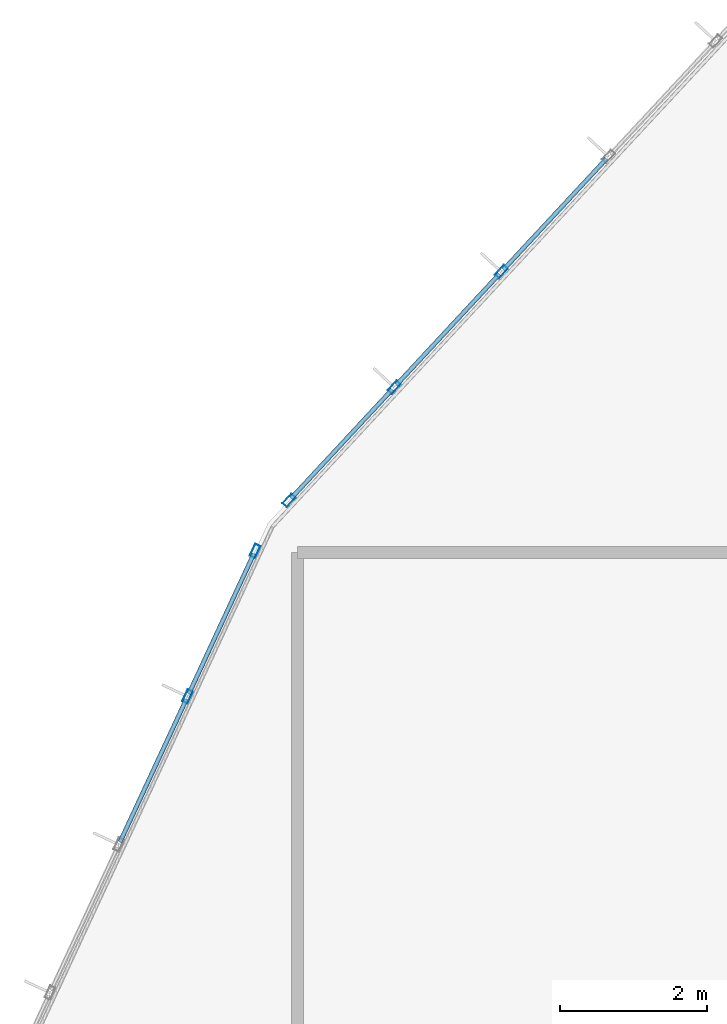
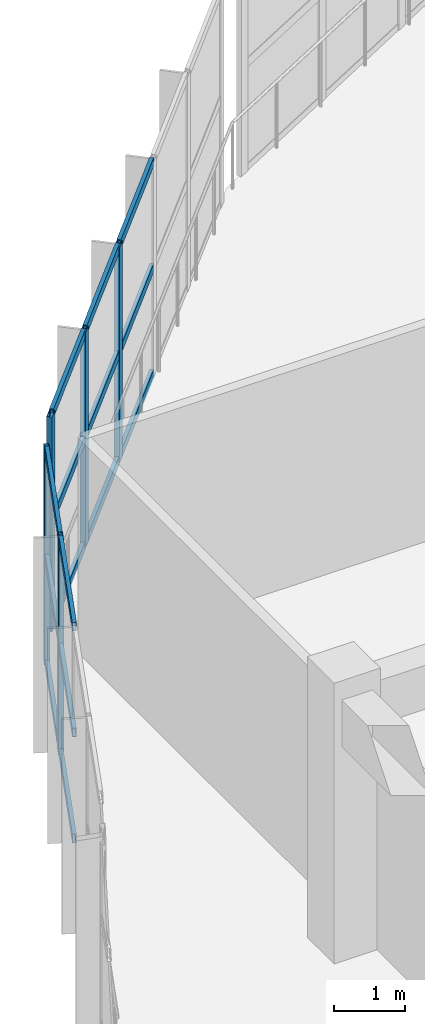
# One storey, part 56 of 175: 20 members, 2 elements without a shape of their own.
"""IFC4 building model written with IfcOpenShell, lengths in metres."""

import ifcopenshell
import ifcopenshell.guid

model = None  # the IFC model being written
_history = None  # IfcOwnerHistory: only IFC2X3 demands one
_inside = {}  # id of a spatial element -> (the spatial element, [elements in it])
_under = {}  # id of a project, library or spatial element -> (it, [spatial elements below it])
_declared = {}  # id of a project -> (the project, [libraries it declares])
_typed = {}  # id of a type object -> (the type object, [elements of that type])
_made_of = {}  # id of a material, layer set ... -> (it, [elements and type objects made of it])


def new_model(schema):
    """Start an empty IFC model of exactly this schema.

    Asked for "IFC4X3", IfcOpenShell would pick the latest addendum, in which some entities
    have other attributes; the version numbers below select the first issue.
    IFC2X3 requires an IfcOwnerHistory on every rooted entity: one is made here for all.
    """
    global model, _history
    if schema == "IFC4X3":
        model = ifcopenshell.file(schema_version=(4, 3, 0, 0))
    else:
        model = ifcopenshell.file(schema=schema)
    _inside.clear()
    _under.clear()
    _declared.clear()
    _typed.clear()
    _made_of.clear()
    _history = None
    if model.schema == "IFC2X3":
        org = make("IfcOrganization", Name="unknown")
        user = make(
            "IfcPersonAndOrganization",
            ThePerson=make("IfcPerson", FamilyName="unknown"),
            TheOrganization=org,
        )
        app = make(
            "IfcApplication",
            ApplicationDeveloper=org,
            Version="unknown",
            ApplicationFullName="unknown",
            ApplicationIdentifier="unknown",
        )
        _history = make(
            "IfcOwnerHistory",
            OwningUser=user,
            OwningApplication=app,
            ChangeAction="ADDED",
            CreationDate=0,
        )
    return model


def make(cls, **values):
    """One entity of the class cls with the attributes given. An attribute that is None is left unset."""
    return model.create_entity(
        cls, **{name: value for name, value in values.items() if value is not None}
    )


def rooted(cls, **values):
    """An entity with a GlobalId (a new one), such as an element, a storey or a relation."""
    return make(cls, GlobalId=ifcopenshell.guid.new(), OwnerHistory=_history, **values)


def si_unit(unit_type, name, prefix=None):
    """IfcSIUnit, for example si_unit("LENGTHUNIT", "METRE", prefix="MILLI")."""
    return make("IfcSIUnit", UnitType=unit_type, Prefix=prefix, Name=name)


def assignment(units):
    """IfcUnitAssignment: the units of a project."""
    return None if units is None else make("IfcUnitAssignment", Units=units)


def point(xyz):
    """IfcCartesianPoint."""
    return None if xyz is None else make("IfcCartesianPoint", Coordinates=xyz)


def direction(xyz):
    """IfcDirection."""
    return None if xyz is None else make("IfcDirection", DirectionRatios=xyz)


def frame(location, z_axis=None, x_axis=None):
    """IfcAxis2Placement3D, a coordinate frame: its origin and axes. An axis left out is left unset."""
    return make(
        "IfcAxis2Placement3D",
        Location=point(location),
        Axis=direction(z_axis),
        RefDirection=direction(x_axis),
    )


def frame_2d(location, x_axis=None):
    """IfcAxis2Placement2D, a coordinate frame in the plane: its origin and x axis."""
    return make(
        "IfcAxis2Placement2D", Location=point(location), RefDirection=direction(x_axis)
    )


def origin():
    """The frame at (0, 0, 0) with its axes left unset."""
    return frame((0.0, 0.0, 0.0))


def origin_2d():
    """The frame at (0, 0) in the plane with its x axis left unset."""
    return frame_2d((0.0, 0.0))


def place(relative_to, where):
    """IfcLocalPlacement: puts the frame where relative to a parent placement (None: the world)."""
    return make(
        "IfcLocalPlacement", PlacementRelTo=relative_to, RelativePlacement=where
    )


def context(
    kind, dimensions, precision=None, world=None, true_north=None, identifier=None
):
    """IfcGeometricRepresentationContext, for example the 3D "Model" context."""
    return make(
        "IfcGeometricRepresentationContext",
        ContextIdentifier=identifier,
        ContextType=kind,
        CoordinateSpaceDimension=dimensions,
        Precision=precision,
        WorldCoordinateSystem=world,
        TrueNorth=true_north,
    )


def subcontext(parent, identifier, kind, view, scale=None):
    """IfcGeometricRepresentationSubContext, for example "Body" below "Model"."""
    return make(
        "IfcGeometricRepresentationSubContext",
        ContextIdentifier=identifier,
        ContextType=kind,
        ParentContext=parent,
        TargetScale=scale,
        TargetView=view,
    )


def project(units=None, contexts=None):
    """IfcProject with its units and contexts."""
    return rooted(
        "IfcProject",
        Name="project",
        RepresentationContexts=contexts,
        UnitsInContext=assignment(units),
    )


def spatial(cls, under=None, at=None, **own):
    """A site, building, storey or space (cls), placed at a placement, below another one or the project."""
    s = rooted(cls, ObjectPlacement=at, **own)
    if under is not None:
        _under.setdefault(under.id(), (under, []))[1].append(s)
    return s


def profile(cls, at=None, kind="AREA", **sizes):
    """A parametric profile (cls). Its sizes go by their IFC names, for example OverallWidth=200.0."""
    return make(cls, ProfileType=kind, Position=at, **sizes)


def hollow_rectangle(**sizes):
    """IfcRectangleHollowProfileDef."""
    return profile("IfcRectangleHollowProfileDef", **sizes)


def extrude(swept, where, along, depth):
    """IfcExtrudedAreaSolid: the profile swept, set in the frame where, extruded along a direction by depth."""
    return make(
        "IfcExtrudedAreaSolid",
        SweptArea=swept,
        Position=where,
        ExtrudedDirection=direction(along),
        Depth=depth,
    )


def shape(context_of_items, identifier, shape_type, items):
    """IfcShapeRepresentation: the items that make up one representation, for example the "Body"."""
    return make(
        "IfcShapeRepresentation",
        ContextOfItems=context_of_items,
        RepresentationIdentifier=identifier,
        RepresentationType=shape_type,
        Items=items,
    )


def material(Name=None, Category=None):
    """IfcMaterial."""
    return make("IfcMaterial", Name=Name, Category=Category)


def layer(
    of_material, thickness, ventilated=None, Name=None, Category=None, Priority=None
):
    """IfcMaterialLayer: one layer of a wall or slab, of a material (None: an air gap)."""
    return make(
        "IfcMaterialLayer",
        Material=of_material,
        LayerThickness=thickness,
        IsVentilated=ventilated,
        Name=Name,
        Category=Category,
        Priority=Priority,
    )


def layer_set(layers, Name=None):
    """IfcMaterialLayerSet."""
    return make("IfcMaterialLayerSet", MaterialLayers=layers, LayerSetName=Name)


def material_profile(
    of_material, cross_section, Name=None, Category=None, Priority=None
):
    """IfcMaterialProfile: a cross section and its material."""
    return make(
        "IfcMaterialProfile",
        Name=Name,
        Material=of_material,
        Profile=cross_section,
        Priority=Priority,
        Category=Category,
    )


def profile_set(profiles, Name=None, composite=None):
    """IfcMaterialProfileSet."""
    return make(
        "IfcMaterialProfileSet",
        Name=Name,
        MaterialProfiles=profiles,
        CompositeProfile=composite,
    )


def made_of(thing, what):
    """Note that an element or type object is made of a material, layer set ...; save() writes the relation."""
    if what is not None:
        _made_of.setdefault(what.id(), (what, []))[1].append(thing)
    return thing


def type_object(cls, material=None, **own):
    """A type object (cls), such as IfcWallType, which elements share."""
    return made_of(rooted(cls, **own), material)


def element(
    cls,
    number,
    at=None,
    inside=None,
    cuts=None,
    type_object=None,
    material=None,
    context=None,
    identifier="Body",
    shape_type=None,
    held_by="IfcProductDefinitionShape",
    body=None,
    shapes=None,
    **own,
):
    """One element of the class cls, such as IfcWall. Its Tag is "e" and its number.

    at: its placement. inside: the storey or other place that contains it. cuts: it is an
    opening in that element (IfcRelVoidsElement). A single representation is given by context,
    identifier, shape_type and body (its items); several are given by shapes. held_by: the class
    of the entity that holds the representations. save() writes the other relations.
    """
    e = rooted(cls, Tag="e%d" % number, ObjectPlacement=at, **own)
    if body is not None:
        shapes = [shape(context, identifier, shape_type, body)]
    if shapes is not None:
        e.Representation = make(held_by, Representations=shapes)
    if inside is not None:
        _inside.setdefault(inside.id(), (inside, []))[1].append(e)
    if cuts is not None:
        rooted(
            "IfcRelVoidsElement", RelatingBuildingElement=cuts, RelatedOpeningElement=e
        )
    if type_object is not None:
        _typed.setdefault(type_object.id(), (type_object, []))[1].append(e)
    return made_of(e, material)


def aggregate(whole, parts):
    """IfcRelAggregates: a whole, such as a stair, and the parts it consists of."""
    return rooted("IfcRelAggregates", RelatingObject=whole, RelatedObjects=parts)


def save(model, path):
    """Write the relations noted so far, then the file.

    IfcRelAggregates (storeys below a building ...), IfcRelContainedInSpatialStructure (elements
    in a storey), IfcRelDefinesByType, IfcRelAssociatesMaterial and IfcRelDeclares: one each for
    every whole, place, type object, material and project.
    """
    for whole, parts in _under.values():
        aggregate(whole, parts)
    for where, things in _inside.values():
        rooted(
            "IfcRelContainedInSpatialStructure",
            RelatedElements=things,
            RelatingStructure=where,
        )
    for kind, things in _typed.values():
        rooted("IfcRelDefinesByType", RelatedObjects=things, RelatingType=kind)
    for what, things in _made_of.values():
        rooted("IfcRelAssociatesMaterial", RelatedObjects=things, RelatingMaterial=what)
    for by, libraries in _declared.values():
        rooted("IfcRelDeclares", RelatingContext=by, RelatedDefinitions=libraries)
    model.write(path)


model = new_model("IFC4")

# Units and contexts
model_context = context("Model", 3, precision=1e-05, world=origin(), true_north=direction((0.0, 1.0)))
body_context = subcontext(model_context, "Body", "Model", "MODEL_VIEW")
ifc_project = project(units=[si_unit("LENGTHUNIT", "METRE"), si_unit("AREAUNIT", "SQUARE_METRE"), si_unit("VOLUMEUNIT", "CUBIC_METRE"), si_unit("PLANEANGLEUNIT", "RADIAN"), si_unit("MASSUNIT", "GRAM", prefix="KILO")], contexts=[model_context])

# Site, building, storey
site_placement = place(None, origin())
site = spatial("IfcSite", under=ifc_project, at=site_placement, CompositionType="ELEMENT")
building_placement = place(site_placement, origin())
building = spatial("IfcBuilding", under=site, at=building_placement, Name="Zizhar Promenade General Hospital", CompositionType="ELEMENT")
storey_placement = place(building_placement, frame((0.0, 0.0, 4.800048828125)))
storey = spatial("IfcBuildingStorey", under=building, at=storey_placement, Name="L01", CompositionType="ELEMENT", Elevation=4.800048828125)

# Curtain wall, members
ifc_material_1 = material(Name="Anodised aluminium 6063-T6 and low-E glass", Category="aluminium")
ifc_layer = layer(ifc_material_1, 0.159912109375)
ifc_layer_set = layer_set([ifc_layer], Name="Anodised aluminium 6063-T6 and low-E glass")
curtain_wall_type = type_object("IfcCurtainWallType", Name="CW-DT-MOD2", PredefinedType="NOTDEFINED", material=ifc_layer_set)
curtain_wall_1_placement = place(storey_placement, origin())
curtain_wall_1 = element("IfcCurtainWall", 1, at=curtain_wall_1_placement, inside=storey, type_object=curtain_wall_type, Name="West Diagnostic Arm Glazed Curtain Wall L01-NW1", PredefinedType="NOTDEFINED")
ifc_material_2 = material(Name="Anodised aluminium 6063-T6", Category="aluminium")
ifc_material_profile_1 = material_profile(ifc_material_2, hollow_rectangle(XDim=0.080078125, YDim=0.179931640625, WallThickness=0.0048828125, at=origin_2d()))
ifc_profile_set_1 = profile_set([ifc_material_profile_1], Name="Anodised aluminium 6063-T6")
member_type_1 = type_object("IfcMemberType", Name="CWM-ALU-180x80", PredefinedType="MULLION", material=ifc_profile_set_1)
member_1_placement = place(storey_placement, frame((6.705078125, 64.841552734375, 0.0), z_axis=(0.0, 0.0, 1.0), x_axis=(-0.907007278189, 0.421114945486, 0.0)))
member_1 = element("IfcMember", 2, at=member_1_placement, type_object=member_type_1, Name="CW-08 mullion 8", PredefinedType="MULLION", context=body_context, shape_type="SweptSolid", body=[
    extrude(hollow_rectangle(XDim=0.080078125, YDim=0.179931640625, WallThickness=0.0048828125, at=origin_2d()), origin(), (0.0, 0.0, 1.0), 3.679931640625),
])
member_2_placement = place(storey_placement, frame((7.623046875, 66.819091796875, 0.0), z_axis=(0.0, 0.0, 1.0), x_axis=(-0.907007278189, 0.421114945486, 0.0)))
member_2 = element("IfcMember", 3, at=member_2_placement, type_object=member_type_1, Name="CW-08 mullion 9", PredefinedType="MULLION", context=body_context, shape_type="SweptSolid", body=[
    extrude(hollow_rectangle(XDim=0.080078125, YDim=0.179931640625, WallThickness=0.0048828125, at=origin_2d()), origin(), (0.0, 0.0, 1.0), 3.679931640625),
])

curtain_wall_2_placement = place(storey_placement, origin())
curtain_wall_2 = element("IfcCurtainWall", 4, at=curtain_wall_2_placement, inside=storey, type_object=curtain_wall_type, Name="West Diagnostic Arm Glazed Curtain Wall L01-NW2", PredefinedType="NOTDEFINED")
member_3_placement = place(storey_placement, frame((8.0859375, 67.5078125, 0.0), z_axis=(0.0, 0.0, 1.0), x_axis=(-0.732792826081, 0.680451816108, 0.0)))
member_3 = element("IfcMember", 5, at=member_3_placement, type_object=member_type_1, Name="CW-08 mullion 1", PredefinedType="MULLION", context=body_context, shape_type="SweptSolid", body=[
    extrude(hollow_rectangle(XDim=0.080078125, YDim=0.179931640625, WallThickness=0.0048828125, at=origin_2d()), origin(), (0.0, 0.0, 1.0), 3.679931640625),
])
member_4_placement = place(storey_placement, frame((9.51513671875, 69.047119140625, 0.0), z_axis=(0.0, 0.0, 1.0), x_axis=(-0.732792826081, 0.680451816108, 0.0)))
member_4 = element("IfcMember", 6, at=member_4_placement, type_object=member_type_1, Name="CW-08 mullion 2", PredefinedType="MULLION", context=body_context, shape_type="SweptSolid", body=[
    extrude(hollow_rectangle(XDim=0.080078125, YDim=0.179931640625, WallThickness=0.0048828125, at=origin_2d()), origin(), (0.0, 0.0, 1.0), 3.679931640625),
])
member_5_placement = place(storey_placement, frame((10.9716796875, 70.61572265625, 0.0), z_axis=(0.0, 0.0, 1.0), x_axis=(-0.732792826081, 0.680451816108, 0.0)))
member_5 = element("IfcMember", 7, at=member_5_placement, type_object=member_type_1, Name="CW-08 mullion 3", PredefinedType="MULLION", context=body_context, shape_type="SweptSolid", body=[
    extrude(hollow_rectangle(XDim=0.080078125, YDim=0.179931640625, WallThickness=0.0048828125, at=origin_2d()), origin(), (0.0, 0.0, 1.0), 3.679931640625),
])

# Member
ifc_material_3 = material(Name="Anodised aluminium 6063-T6", Category="aluminium")
ifc_material_profile_2 = material_profile(ifc_material_3, hollow_rectangle(XDim=0.06005859375, YDim=0.14990234375, WallThickness=0.00390625, at=origin_2d()))
ifc_profile_set_2 = profile_set([ifc_material_profile_2], Name="Anodised aluminium 6063-T6")
member_type_2 = type_object("IfcMemberType", Name="CWT-ALU-150x60", PredefinedType="USERDEFINED", material=ifc_profile_set_2)
member_6_placement = place(storey_placement, frame((5.786865234375, 62.864013671875, 0.030029296875), z_axis=(0.421154876076, 0.906988737724, 0.0), x_axis=(-0.906988737724, 0.421154876076, 0.0)))
member_6 = element("IfcMember", 8, at=member_6_placement, type_object=member_type_2, Name="CW-08 transom 7.1", ObjectType="TRANSOM", PredefinedType="USERDEFINED", context=body_context, shape_type="SweptSolid", body=[
    extrude(hollow_rectangle(XDim=0.06005859375, YDim=0.14990234375, WallThickness=0.00390625, at=origin_2d()), origin(), (0.0, 0.0, 1.0), 2.14013671875),
])

member_7_placement = place(storey_placement, frame((5.786865234375, 62.864013671875, 1.83984375), z_axis=(0.421154876076, 0.906988737724, 0.0), x_axis=(-0.906988737724, 0.421154876076, 0.0)))
member_7 = element("IfcMember", 9, at=member_7_placement, type_object=member_type_2, Name="CW-08 transom 7.2", ObjectType="TRANSOM", PredefinedType="USERDEFINED", context=body_context, shape_type="SweptSolid", body=[
    extrude(hollow_rectangle(XDim=0.06005859375, YDim=0.14990234375, WallThickness=0.00390625, at=origin_2d()), origin(), (0.0, 0.0, 1.0), 2.14013671875),
])

member_8_placement = place(storey_placement, frame((5.786865234375, 62.864013671875, 3.64990234375), z_axis=(0.421154876076, 0.906988737724, 0.0), x_axis=(-0.906988737724, 0.421154876076, 0.0)))
member_8 = element("IfcMember", 10, at=member_8_placement, type_object=member_type_2, Name="CW-08 transom 7.3", ObjectType="TRANSOM", PredefinedType="USERDEFINED", context=body_context, shape_type="SweptSolid", body=[
    extrude(hollow_rectangle(XDim=0.06005859375, YDim=0.14990234375, WallThickness=0.00390625, at=origin_2d()), origin(), (0.0, 0.0, 1.0), 2.14013671875),
])

member_9_placement = place(storey_placement, frame((6.721923828125, 64.877685546875, 0.030029296875), z_axis=(0.421032752305, 0.907045435183, 0.0), x_axis=(-0.907045435183, 0.421032752305, 0.0)))
member_9 = element("IfcMember", 11, at=member_9_placement, type_object=member_type_2, Name="CW-08 transom 8.1", ObjectType="TRANSOM", PredefinedType="USERDEFINED", context=body_context, shape_type="SweptSolid", body=[
    extrude(hollow_rectangle(XDim=0.06005859375, YDim=0.14990234375, WallThickness=0.00390625, at=origin_2d()), origin(), (0.0, 0.0, 1.0), 2.100341796875),
])

member_10_placement = place(storey_placement, frame((6.721923828125, 64.877685546875, 1.83984375), z_axis=(0.421032752305, 0.907045435183, 0.0), x_axis=(-0.907045435183, 0.421032752305, 0.0)))
member_10 = element("IfcMember", 12, at=member_10_placement, type_object=member_type_2, Name="CW-08 transom 8.2", ObjectType="TRANSOM", PredefinedType="USERDEFINED", context=body_context, shape_type="SweptSolid", body=[
    extrude(hollow_rectangle(XDim=0.06005859375, YDim=0.14990234375, WallThickness=0.00390625, at=origin_2d()), origin(), (0.0, 0.0, 1.0), 2.100341796875),
])

member_11_placement = place(storey_placement, frame((6.721923828125, 64.877685546875, 3.64990234375), z_axis=(0.421032752305, 0.907045435183, 0.0), x_axis=(-0.907045435183, 0.421032752305, 0.0)))
member_11 = element("IfcMember", 13, at=member_11_placement, type_object=member_type_2, Name="CW-08 transom 8.3", ObjectType="TRANSOM", PredefinedType="USERDEFINED", context=body_context, shape_type="SweptSolid", body=[
    extrude(hollow_rectangle(XDim=0.06005859375, YDim=0.14990234375, WallThickness=0.00390625, at=origin_2d()), origin(), (0.0, 0.0, 1.0), 2.100341796875),
])

aggregate(curtain_wall_1, [member_1, member_2, member_6, member_7, member_8, member_9, member_10, member_11])

member_12_placement = place(storey_placement, frame((8.113037109375, 67.537109375, 0.030029296875), z_axis=(0.680465001958, 0.732780581832, 0.0), x_axis=(-0.732780581832, 0.680465001958, 0.0)))
member_12 = element("IfcMember", 14, at=member_12_placement, type_object=member_type_2, Name="CW-08 transom 1.1", ObjectType="TRANSOM", PredefinedType="USERDEFINED", context=body_context, shape_type="SweptSolid", body=[
    extrude(hollow_rectangle(XDim=0.06005859375, YDim=0.14990234375, WallThickness=0.00390625, at=origin_2d()), origin(), (0.0, 0.0, 1.0), 2.020751953125),
])

member_13_placement = place(storey_placement, frame((8.113037109375, 67.537109375, 1.83984375), z_axis=(0.680465001958, 0.732780581832, 0.0), x_axis=(-0.732780581832, 0.680465001958, 0.0)))
member_13 = element("IfcMember", 15, at=member_13_placement, type_object=member_type_2, Name="CW-08 transom 1.2", ObjectType="TRANSOM", PredefinedType="USERDEFINED", context=body_context, shape_type="SweptSolid", body=[
    extrude(hollow_rectangle(XDim=0.06005859375, YDim=0.14990234375, WallThickness=0.00390625, at=origin_2d()), origin(), (0.0, 0.0, 1.0), 2.020751953125),
])

member_14_placement = place(storey_placement, frame((8.113037109375, 67.537109375, 3.64990234375), z_axis=(0.680465001958, 0.732780581832, 0.0), x_axis=(-0.732780581832, 0.680465001958, 0.0)))
member_14 = element("IfcMember", 16, at=member_14_placement, type_object=member_type_2, Name="CW-08 transom 1.3", ObjectType="TRANSOM", PredefinedType="USERDEFINED", context=body_context, shape_type="SweptSolid", body=[
    extrude(hollow_rectangle(XDim=0.06005859375, YDim=0.14990234375, WallThickness=0.00390625, at=origin_2d()), origin(), (0.0, 0.0, 1.0), 2.020751953125),
])

member_15_placement = place(storey_placement, frame((9.54248046875, 69.076416015625, 0.030029296875), z_axis=(0.680437465798, 0.732806151133, 0.0), x_axis=(-0.732806151133, 0.680437465798, 0.0)))
member_15 = element("IfcMember", 17, at=member_15_placement, type_object=member_type_2, Name="CW-08 transom 2.1", ObjectType="TRANSOM", PredefinedType="USERDEFINED", context=body_context, shape_type="SweptSolid", body=[
    extrude(hollow_rectangle(XDim=0.06005859375, YDim=0.14990234375, WallThickness=0.00390625, at=origin_2d()), origin(), (0.0, 0.0, 1.0), 2.060546875),
])

member_16_placement = place(storey_placement, frame((9.54248046875, 69.076416015625, 1.83984375), z_axis=(0.680437465798, 0.732806151133, 0.0), x_axis=(-0.732806151133, 0.680437465798, 0.0)))
member_16 = element("IfcMember", 18, at=member_16_placement, type_object=member_type_2, Name="CW-08 transom 2.2", ObjectType="TRANSOM", PredefinedType="USERDEFINED", context=body_context, shape_type="SweptSolid", body=[
    extrude(hollow_rectangle(XDim=0.06005859375, YDim=0.14990234375, WallThickness=0.00390625, at=origin_2d()), origin(), (0.0, 0.0, 1.0), 2.060546875),
])

member_17_placement = place(storey_placement, frame((9.54248046875, 69.076416015625, 3.64990234375), z_axis=(0.680437465798, 0.732806151133, 0.0), x_axis=(-0.732806151133, 0.680437465798, 0.0)))
member_17 = element("IfcMember", 19, at=member_17_placement, type_object=member_type_2, Name="CW-08 transom 2.3", ObjectType="TRANSOM", PredefinedType="USERDEFINED", context=body_context, shape_type="SweptSolid", body=[
    extrude(hollow_rectangle(XDim=0.06005859375, YDim=0.14990234375, WallThickness=0.00390625, at=origin_2d()), origin(), (0.0, 0.0, 1.0), 2.060546875),
])

member_18_placement = place(storey_placement, frame((10.9990234375, 70.64501953125, 0.030029296875), z_axis=(0.680437465798, 0.732806151133, 0.0), x_axis=(-0.732806151133, 0.680437465798, 0.0)))
member_18 = element("IfcMember", 20, at=member_18_placement, type_object=member_type_2, Name="CW-08 transom 3.1", ObjectType="TRANSOM", PredefinedType="USERDEFINED", context=body_context, shape_type="SweptSolid", body=[
    extrude(hollow_rectangle(XDim=0.06005859375, YDim=0.14990234375, WallThickness=0.00390625, at=origin_2d()), origin(), (0.0, 0.0, 1.0), 2.060546875),
])

member_19_placement = place(storey_placement, frame((10.9990234375, 70.64501953125, 1.83984375), z_axis=(0.680437465798, 0.732806151133, 0.0), x_axis=(-0.732806151133, 0.680437465798, 0.0)))
member_19 = element("IfcMember", 21, at=member_19_placement, type_object=member_type_2, Name="CW-08 transom 3.2", ObjectType="TRANSOM", PredefinedType="USERDEFINED", context=body_context, shape_type="SweptSolid", body=[
    extrude(hollow_rectangle(XDim=0.06005859375, YDim=0.14990234375, WallThickness=0.00390625, at=origin_2d()), origin(), (0.0, 0.0, 1.0), 2.060546875),
])

member_20_placement = place(storey_placement, frame((10.9990234375, 70.64501953125, 3.64990234375), z_axis=(0.680437465798, 0.732806151133, 0.0), x_axis=(-0.732806151133, 0.680437465798, 0.0)))
member_20 = element("IfcMember", 22, at=member_20_placement, type_object=member_type_2, Name="CW-08 transom 3.3", ObjectType="TRANSOM", PredefinedType="USERDEFINED", context=body_context, shape_type="SweptSolid", body=[
    extrude(hollow_rectangle(XDim=0.06005859375, YDim=0.14990234375, WallThickness=0.00390625, at=origin_2d()), origin(), (0.0, 0.0, 1.0), 2.060546875),
])

aggregate(curtain_wall_2, [member_3, member_4, member_5, member_12, member_13, member_14, member_15, member_16, member_17, member_18, member_19, member_20])

save(model, "model.ifc")
